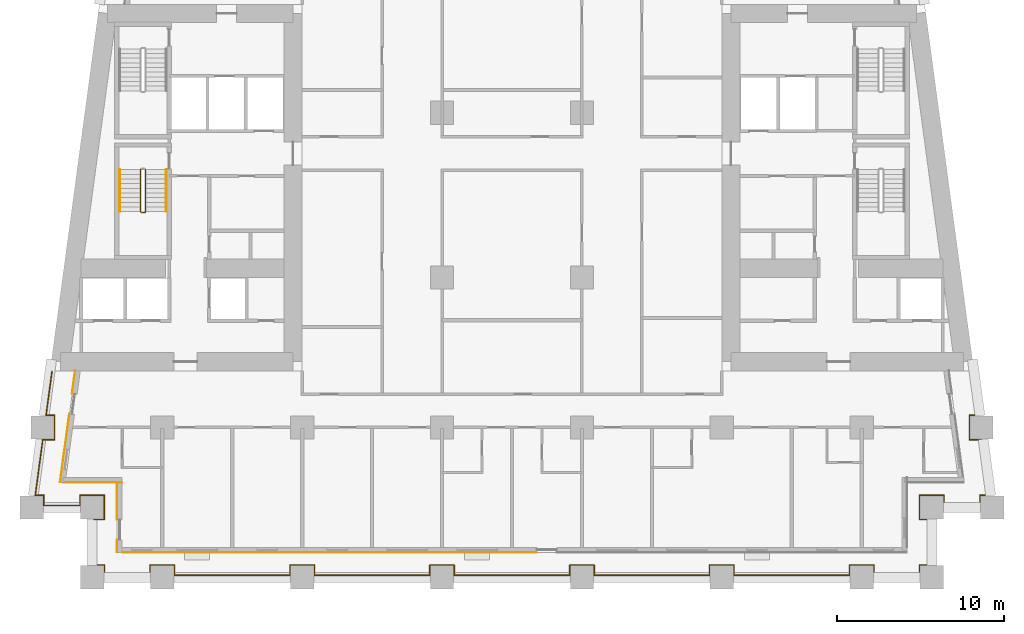
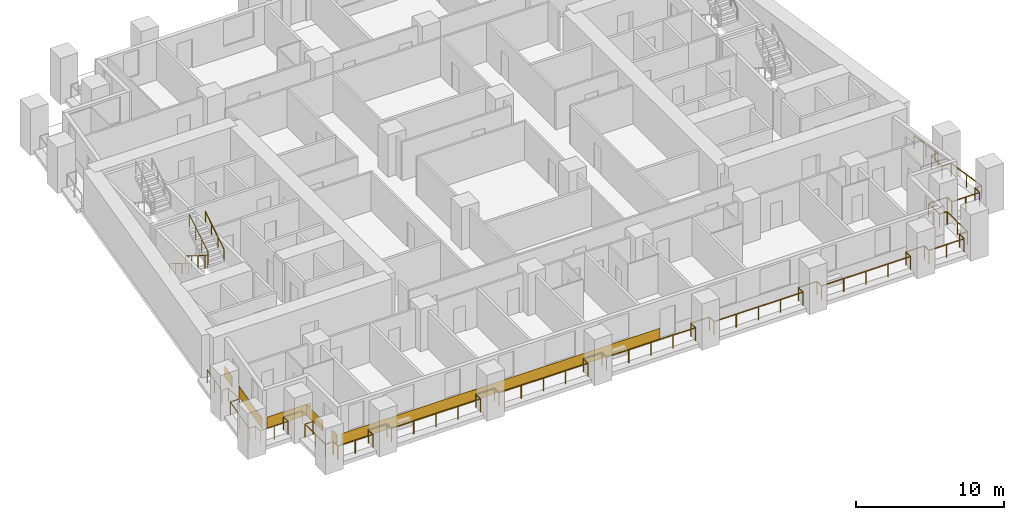
# One storey, part 8 of 12: 6 coverings, 5 railings.
"""IFC4 building model written with IfcOpenShell, lengths in metres."""

from ifc_helpers import new_model, si_unit, direction, frame, origin, origin_2d, place, context, subcontext, project, spatial, rectangle, circle, extrude, material, layer, layer_set, type_object, element, save


model = new_model("IFC4")

# Units and contexts
model_context = context("Model", 3, precision=1e-05, world=origin(), true_north=direction((0.0, 1.0)))
body_context = subcontext(model_context, "Body", "Model", "MODEL_VIEW")
ifc_project = project(units=[si_unit("LENGTHUNIT", "METRE"), si_unit("AREAUNIT", "SQUARE_METRE"), si_unit("VOLUMEUNIT", "CUBIC_METRE"), si_unit("PLANEANGLEUNIT", "RADIAN"), si_unit("MASSUNIT", "GRAM", prefix="KILO")], contexts=[model_context])

# Site, building, storey
site_placement = place(None, origin())
site = spatial("IfcSite", under=ifc_project, at=site_placement, CompositionType="ELEMENT")
building_placement = place(site_placement, origin())
building = spatial("IfcBuilding", under=site, at=building_placement, Name="Candeia Pilgrim Tower and Theatre", CompositionType="ELEMENT")
storey_placement = place(building_placement, frame((0.0, 0.0, 39.0)))
storey = spatial("IfcBuildingStorey", under=building, at=storey_placement, Name="L06", CompositionType="ELEMENT", Elevation=39.0)

# Railings
ifc_material_1 = material(Name="Stainless steel balustrade", Category="steel")
railing_type_1 = type_object("IfcRailingType", Name="G1 loggia guard 1100", PredefinedType="GUARDRAIL", material=ifc_material_1)
railing_1_placement = place(storey_placement, frame((88.320068359375, 101.469970703125, 0.0)))
element("IfcRailing", 1, at=railing_1_placement, inside=storey, type_object=railing_type_1, Name="Guard L06.1", PredefinedType="GUARDRAIL", context=body_context, shape_type="SweptSolid", body=[
    extrude(circle(Radius=0.02392578125, at=origin_2d()), frame((0.0, 0.0, 1.076171875), z_axis=(1.0, 0.0, 0.0), x_axis=(0.0, 1.0, 0.0)), (0.0, 0.0, 1.0), 0.60986328125),
    extrude(circle(Radius=0.02392578125, at=origin_2d()), frame((0.60986328125, 0.0, 1.076171875), z_axis=(0.0, 1.0, 0.0), x_axis=(-1.0, 0.0, 0.0)), (0.0, 0.0, 1.0), 1.4599609375),
    extrude(circle(Radius=0.02392578125, at=origin_2d()), frame((0.60986328125, 1.4599609375, 1.076171875), z_axis=(-1.0, 0.0, 0.0), x_axis=(0.0, -1.0, 0.0)), (0.0, 0.0, 1.0), 1.4599609375),
    extrude(circle(Radius=0.02392578125, at=origin_2d()), frame((-0.85009765625, 1.4599609375, 1.076171875), z_axis=(0.0, -1.0, 0.0), x_axis=(1.0, 0.0, 0.0)), (0.0, 0.0, 1.0), 0.60986328125),
    extrude(circle(Radius=0.02392578125, at=origin_2d()), frame((-0.85009765625, 0.85009765625, 1.076171875), z_axis=(-1.0, 0.0, 0.0), x_axis=(0.0, -1.0, 0.0)), (0.0, 0.0, 1.0), 2.174560546875),
    extrude(circle(Radius=0.02392578125, at=origin_2d()), frame((-3.024658203125, 0.85009765625, 1.076171875), z_axis=(0.0, 1.0, 0.0), x_axis=(-1.0, 0.0, 0.0)), (0.0, 0.0, 1.0), 0.60986328125),
    extrude(circle(Radius=0.02392578125, at=origin_2d()), frame((-3.024658203125, 1.4599609375, 1.076171875), z_axis=(-1.0, 0.0, 0.0), x_axis=(0.0, -1.0, 0.0)), (0.0, 0.0, 1.0), 0.5107421875),
    extrude(circle(Radius=0.02392578125, at=origin_2d()), frame((-3.535400390625, 1.4599609375, 1.076171875), z_axis=(0.133435273035, 0.991057530071, 0.0), x_axis=(-0.991057530071, 0.133435273035, 0.0)), (0.0, 0.0, 1.0), 3.3701171875),
    extrude(circle(Radius=0.02392578125, at=origin_2d()), frame((-3.085693359375, 4.800048828125, 1.076171875), z_axis=(1.0, 0.0, 0.0), x_axis=(0.0, 1.0, 0.0)), (0.0, 0.0, 1.0), 0.707275390625),
    extrude(circle(Radius=0.02392578125, at=origin_2d()), frame((-2.37841796875, 4.800048828125, 1.076171875), z_axis=(0.0, 1.0, 0.0), x_axis=(-1.0, 0.0, 0.0)), (0.0, 0.0, 1.0), 1.4599609375),
    extrude(circle(Radius=0.02392578125, at=origin_2d()), frame((-2.37841796875, 6.260009765625, 1.076171875), z_axis=(-1.0, 0.0, 0.0), x_axis=(0.0, -1.0, 0.0)), (0.0, 0.0, 1.0), 0.5107421875),
    extrude(circle(Radius=0.02392578125, at=origin_2d()), frame((-2.88916015625, 6.260009765625, 1.076171875), z_axis=(0.133439920495, 0.991056904329, 0.0), x_axis=(-0.991056904329, 0.133439920495, 0.0)), (0.0, 0.0, 1.0), 2.643798828125),
    extrude(circle(Radius=0.02099609375, at=origin_2d()), origin(), (0.0, 0.0, 1.0), 1.052001953125),
    extrude(circle(Radius=0.02099609375, at=origin_2d()), frame((0.60986328125, 0.0, 0.0)), (0.0, 0.0, 1.0), 1.052001953125),
    extrude(circle(Radius=0.02099609375, at=origin_2d()), frame((0.60986328125, 1.4599609375, 0.0)), (0.0, 0.0, 1.0), 1.052001953125),
    extrude(circle(Radius=0.02099609375, at=origin_2d()), frame((-0.85009765625, 1.4599609375, 0.0)), (0.0, 0.0, 1.0), 1.052001953125),
    extrude(circle(Radius=0.02099609375, at=origin_2d()), frame((-0.85009765625, 0.85009765625, 0.0)), (0.0, 0.0, 1.0), 1.052001953125),
    extrude(circle(Radius=0.02099609375, at=origin_2d()), frame((-1.9375, 0.85009765625, 0.0)), (0.0, 0.0, 1.0), 1.052001953125),
    extrude(circle(Radius=0.02099609375, at=origin_2d()), frame((-3.024658203125, 0.85009765625, 0.0)), (0.0, 0.0, 1.0), 1.052001953125),
    extrude(circle(Radius=0.02099609375, at=origin_2d()), frame((-3.024658203125, 1.4599609375, 0.0)), (0.0, 0.0, 1.0), 1.052001953125),
    extrude(circle(Radius=0.02099609375, at=origin_2d()), frame((-3.535400390625, 1.4599609375, 0.0)), (0.0, 0.0, 1.0), 1.052001953125),
    extrude(circle(Radius=0.02099609375, at=origin_2d()), frame((-3.310546875, 3.1298828125, 0.0)), (0.0, 0.0, 1.0), 1.052001953125),
    extrude(circle(Radius=0.02099609375, at=origin_2d()), frame((-3.085693359375, 4.800048828125, 0.0)), (0.0, 0.0, 1.0), 1.052001953125),
    extrude(circle(Radius=0.02099609375, at=origin_2d()), frame((-2.37841796875, 4.800048828125, 0.0)), (0.0, 0.0, 1.0), 1.052001953125),
    extrude(circle(Radius=0.02099609375, at=origin_2d()), frame((-2.37841796875, 6.260009765625, 0.0)), (0.0, 0.0, 1.0), 1.052001953125),
    extrude(circle(Radius=0.02099609375, at=origin_2d()), frame((-2.88916015625, 6.260009765625, 0.0)), (0.0, 0.0, 1.0), 1.052001953125),
    extrude(circle(Radius=0.02099609375, at=origin_2d()), frame((-2.712890625, 7.570068359375, 0.0)), (0.0, 0.0, 1.0), 1.052001953125),
    extrude(circle(Radius=0.02099609375, at=origin_2d()), frame((-2.536376953125, 8.880126953125, 0.0)), (0.0, 0.0, 1.0), 1.052001953125),
])
railing_2_placement = place(storey_placement, frame((141.016357421875, 110.35009765625, 0.0)))
element("IfcRailing", 2, at=railing_2_placement, inside=storey, type_object=railing_type_1, Name="Guard L06.4", PredefinedType="GUARDRAIL", context=body_context, shape_type="SweptSolid", body=[
    extrude(circle(Radius=0.02392578125, at=origin_2d()), frame((0.0, 0.0, 1.076171875), z_axis=(0.133439920495, -0.991056904329, 0.0), x_axis=(0.991056904329, 0.133439920495, 0.0)), (0.0, 0.0, 1.0), 2.643798828125),
    extrude(circle(Radius=0.02392578125, at=origin_2d()), frame((0.352783203125, -2.6201171875, 1.076171875), z_axis=(-1.0, 0.0, 0.0), x_axis=(0.0, -1.0, 0.0)), (0.0, 0.0, 1.0), 0.5107421875),
    extrude(circle(Radius=0.02392578125, at=origin_2d()), frame((-0.157958984375, -2.6201171875, 1.076171875), z_axis=(0.0, -1.0, 0.0), x_axis=(1.0, 0.0, 0.0)), (0.0, 0.0, 1.0), 1.4599609375),
    extrude(circle(Radius=0.02392578125, at=origin_2d()), frame((-0.157958984375, -4.080078125, 1.076171875), z_axis=(1.0, 0.0, 0.0), x_axis=(0.0, 1.0, 0.0)), (0.0, 0.0, 1.0), 0.707275390625),
    extrude(circle(Radius=0.02392578125, at=origin_2d()), frame((0.54931640625, -4.080078125, 1.076171875), z_axis=(0.133435273035, -0.991057530071, 0.0), x_axis=(0.991057530071, 0.133435273035, 0.0)), (0.0, 0.0, 1.0), 3.3701171875),
    extrude(circle(Radius=0.02392578125, at=origin_2d()), frame((0.9990234375, -7.420166015625, 1.076171875), z_axis=(-1.0, 0.0, 0.0), x_axis=(0.0, -1.0, 0.0)), (0.0, 0.0, 1.0), 0.5107421875),
    extrude(circle(Radius=0.02392578125, at=origin_2d()), frame((0.48828125, -7.420166015625, 1.076171875), z_axis=(0.0, -1.0, 0.0), x_axis=(1.0, 0.0, 0.0)), (0.0, 0.0, 1.0), 0.60986328125),
    extrude(circle(Radius=0.02392578125, at=origin_2d()), frame((0.48828125, -8.030029296875, 1.076171875), z_axis=(-1.0, 0.0, 0.0), x_axis=(0.0, -1.0, 0.0)), (0.0, 0.0, 1.0), 2.174560546875),
    extrude(circle(Radius=0.02392578125, at=origin_2d()), frame((-1.686279296875, -8.030029296875, 1.076171875), z_axis=(0.0, 1.0, 0.0), x_axis=(-1.0, 0.0, 0.0)), (0.0, 0.0, 1.0), 0.60986328125),
    extrude(circle(Radius=0.02392578125, at=origin_2d()), frame((-1.686279296875, -7.420166015625, 1.076171875), z_axis=(-1.0, 0.0, 0.0), x_axis=(0.0, -1.0, 0.0)), (0.0, 0.0, 1.0), 1.4599609375),
    extrude(circle(Radius=0.02392578125, at=origin_2d()), frame((-3.146240234375, -7.420166015625, 1.076171875), z_axis=(0.0, -1.0, 0.0), x_axis=(1.0, 0.0, 0.0)), (0.0, 0.0, 1.0), 1.4599609375),
    extrude(circle(Radius=0.02392578125, at=origin_2d()), frame((-3.146240234375, -8.880126953125, 1.076171875), z_axis=(1.0, 0.0, 0.0), x_axis=(0.0, 1.0, 0.0)), (0.0, 0.0, 1.0), 0.60986328125),
    extrude(circle(Radius=0.02392578125, at=origin_2d()), frame((-2.536376953125, -8.880126953125, 1.076171875), z_axis=(0.0, -1.0, 0.0), x_axis=(1.0, 0.0, 0.0)), (0.0, 0.0, 1.0), 2.739990234375),
    extrude(circle(Radius=0.02392578125, at=origin_2d()), frame((-2.536376953125, -11.6201171875, 1.076171875), z_axis=(-1.0, 0.0, 0.0), x_axis=(0.0, -1.0, 0.0)), (0.0, 0.0, 1.0), 0.60986328125),
    extrude(circle(Radius=0.02392578125, at=origin_2d()), frame((-3.146240234375, -11.6201171875, 1.076171875), z_axis=(0.0, -1.0, 0.0), x_axis=(1.0, 0.0, 0.0)), (0.0, 0.0, 1.0), 0.60986328125),
    extrude(circle(Radius=0.02392578125, at=origin_2d()), frame((-3.146240234375, -12.22998046875, 1.076171875), z_axis=(-1.0, 0.0, 0.0), x_axis=(0.0, -1.0, 0.0)), (0.0, 0.0, 1.0), 2.740234375),
    extrude(circle(Radius=0.02392578125, at=origin_2d()), frame((-5.886474609375, -12.22998046875, 1.076171875), z_axis=(0.0, 1.0, 0.0), x_axis=(-1.0, 0.0, 0.0)), (0.0, 0.0, 1.0), 0.60986328125),
    extrude(circle(Radius=0.02392578125, at=origin_2d()), frame((-5.886474609375, -11.6201171875, 1.076171875), z_axis=(-1.0, 0.0, 0.0), x_axis=(0.0, -1.0, 0.0)), (0.0, 0.0, 1.0), 1.4599609375),
    extrude(circle(Radius=0.02392578125, at=origin_2d()), frame((-7.346435546875, -11.6201171875, 1.076171875), z_axis=(0.0, -1.0, 0.0), x_axis=(1.0, 0.0, 0.0)), (0.0, 0.0, 1.0), 0.60986328125),
    extrude(circle(Radius=0.02392578125, at=origin_2d()), frame((-7.346435546875, -12.22998046875, 1.076171875), z_axis=(-1.0, 0.0, 0.0), x_axis=(0.0, -1.0, 0.0)), (0.0, 0.0, 1.0), 6.93994140625),
    extrude(circle(Radius=0.02392578125, at=origin_2d()), frame((-14.286376953125, -12.22998046875, 1.076171875), z_axis=(0.0, 1.0, 0.0), x_axis=(-1.0, 0.0, 0.0)), (0.0, 0.0, 1.0), 0.60986328125),
    extrude(circle(Radius=0.02392578125, at=origin_2d()), frame((-14.286376953125, -11.6201171875, 1.076171875), z_axis=(-1.0, 0.0, 0.0), x_axis=(0.0, -1.0, 0.0)), (0.0, 0.0, 1.0), 1.4599609375),
    extrude(circle(Radius=0.02392578125, at=origin_2d()), frame((-15.746337890625, -11.6201171875, 1.076171875), z_axis=(0.0, -1.0, 0.0), x_axis=(1.0, 0.0, 0.0)), (0.0, 0.0, 1.0), 0.60986328125),
    extrude(circle(Radius=0.02392578125, at=origin_2d()), frame((-15.746337890625, -12.22998046875, 1.076171875), z_axis=(-1.0, 0.0, 0.0), x_axis=(0.0, -1.0, 0.0)), (0.0, 0.0, 1.0), 6.93994140625),
    extrude(circle(Radius=0.02392578125, at=origin_2d()), frame((-22.686279296875, -12.22998046875, 1.076171875), z_axis=(0.0, 1.0, 0.0), x_axis=(-1.0, 0.0, 0.0)), (0.0, 0.0, 1.0), 0.60986328125),
    extrude(circle(Radius=0.02392578125, at=origin_2d()), frame((-22.686279296875, -11.6201171875, 1.076171875), z_axis=(-1.0, 0.0, 0.0), x_axis=(0.0, -1.0, 0.0)), (0.0, 0.0, 1.0), 1.4599609375),
    extrude(circle(Radius=0.02392578125, at=origin_2d()), frame((-24.146240234375, -11.6201171875, 1.076171875), z_axis=(0.0, -1.0, 0.0), x_axis=(1.0, 0.0, 0.0)), (0.0, 0.0, 1.0), 0.60986328125),
    extrude(circle(Radius=0.02392578125, at=origin_2d()), frame((-24.146240234375, -12.22998046875, 1.076171875), z_axis=(-1.0, 0.0, 0.0), x_axis=(0.0, -1.0, 0.0)), (0.0, 0.0, 1.0), 6.940185546875),
    extrude(circle(Radius=0.02392578125, at=origin_2d()), frame((-31.08642578125, -12.22998046875, 1.076171875), z_axis=(0.0, 1.0, 0.0), x_axis=(-1.0, 0.0, 0.0)), (0.0, 0.0, 1.0), 0.60986328125),
    extrude(circle(Radius=0.02392578125, at=origin_2d()), frame((-31.08642578125, -11.6201171875, 1.076171875), z_axis=(-1.0, 0.0, 0.0), x_axis=(0.0, -1.0, 0.0)), (0.0, 0.0, 1.0), 1.4599609375),
    extrude(circle(Radius=0.02392578125, at=origin_2d()), frame((-32.54638671875, -11.6201171875, 1.076171875), z_axis=(0.0, -1.0, 0.0), x_axis=(1.0, 0.0, 0.0)), (0.0, 0.0, 1.0), 0.60986328125),
    extrude(circle(Radius=0.02392578125, at=origin_2d()), frame((-32.54638671875, -12.22998046875, 1.076171875), z_axis=(-1.0, 0.0, 0.0), x_axis=(0.0, -1.0, 0.0)), (0.0, 0.0, 1.0), 6.93994140625),
    extrude(circle(Radius=0.02392578125, at=origin_2d()), frame((-39.486328125, -12.22998046875, 1.076171875), z_axis=(0.0, 1.0, 0.0), x_axis=(-1.0, 0.0, 0.0)), (0.0, 0.0, 1.0), 0.60986328125),
    extrude(circle(Radius=0.02392578125, at=origin_2d()), frame((-39.486328125, -11.6201171875, 1.076171875), z_axis=(-1.0, 0.0, 0.0), x_axis=(0.0, -1.0, 0.0)), (0.0, 0.0, 1.0), 1.4599609375),
    extrude(circle(Radius=0.02392578125, at=origin_2d()), frame((-40.9462890625, -11.6201171875, 1.076171875), z_axis=(0.0, -1.0, 0.0), x_axis=(1.0, 0.0, 0.0)), (0.0, 0.0, 1.0), 0.60986328125),
    extrude(circle(Radius=0.02392578125, at=origin_2d()), frame((-40.9462890625, -12.22998046875, 1.076171875), z_axis=(-1.0, 0.0, 0.0), x_axis=(0.0, -1.0, 0.0)), (0.0, 0.0, 1.0), 6.940185546875),
    extrude(circle(Radius=0.02392578125, at=origin_2d()), frame((-47.886474609375, -12.22998046875, 1.076171875), z_axis=(0.0, 1.0, 0.0), x_axis=(-1.0, 0.0, 0.0)), (0.0, 0.0, 1.0), 0.60986328125),
    extrude(circle(Radius=0.02392578125, at=origin_2d()), frame((-47.886474609375, -11.6201171875, 1.076171875), z_axis=(-1.0, 0.0, 0.0), x_axis=(0.0, -1.0, 0.0)), (0.0, 0.0, 1.0), 1.4599609375),
    extrude(circle(Radius=0.02392578125, at=origin_2d()), frame((-49.346435546875, -11.6201171875, 1.076171875), z_axis=(0.0, -1.0, 0.0), x_axis=(1.0, 0.0, 0.0)), (0.0, 0.0, 1.0), 0.60986328125),
    extrude(circle(Radius=0.02392578125, at=origin_2d()), frame((-49.346435546875, -12.22998046875, 1.076171875), z_axis=(-1.0, 0.0, 0.0), x_axis=(0.0, -1.0, 0.0)), (0.0, 0.0, 1.0), 2.739990234375),
    extrude(circle(Radius=0.02392578125, at=origin_2d()), frame((-52.08642578125, -12.22998046875, 1.076171875), z_axis=(0.0, 1.0, 0.0), x_axis=(-1.0, 0.0, 0.0)), (0.0, 0.0, 1.0), 0.60986328125),
    extrude(circle(Radius=0.02392578125, at=origin_2d()), frame((-52.08642578125, -11.6201171875, 1.076171875), z_axis=(-1.0, 0.0, 0.0), x_axis=(0.0, -1.0, 0.0)), (0.0, 0.0, 1.0), 0.60986328125),
    extrude(circle(Radius=0.02392578125, at=origin_2d()), frame((-52.6962890625, -11.6201171875, 1.076171875), z_axis=(0.0, 1.0, 0.0), x_axis=(-1.0, 0.0, 0.0)), (0.0, 0.0, 1.0), 2.739990234375),
    extrude(circle(Radius=0.02099609375, at=origin_2d()), origin(), (0.0, 0.0, 1.0), 1.052001953125),
    extrude(circle(Radius=0.02099609375, at=origin_2d()), frame((0.17626953125, -1.31005859375, 0.0)), (0.0, 0.0, 1.0), 1.052001953125),
    extrude(circle(Radius=0.02099609375, at=origin_2d()), frame((0.352783203125, -2.6201171875, 0.0)), (0.0, 0.0, 1.0), 1.052001953125),
    extrude(circle(Radius=0.02099609375, at=origin_2d()), frame((-0.157958984375, -2.6201171875, 0.0)), (0.0, 0.0, 1.0), 1.052001953125),
    extrude(circle(Radius=0.02099609375, at=origin_2d()), frame((-0.157958984375, -4.080078125, 0.0)), (0.0, 0.0, 1.0), 1.052001953125),
    extrude(circle(Radius=0.02099609375, at=origin_2d()), frame((0.54931640625, -4.080078125, 0.0)), (0.0, 0.0, 1.0), 1.052001953125),
    extrude(circle(Radius=0.02099609375, at=origin_2d()), frame((0.774169921875, -5.75, 0.0)), (0.0, 0.0, 1.0), 1.052001953125),
    extrude(circle(Radius=0.02099609375, at=origin_2d()), frame((0.9990234375, -7.420166015625, 0.0)), (0.0, 0.0, 1.0), 1.052001953125),
    extrude(circle(Radius=0.02099609375, at=origin_2d()), frame((0.48828125, -7.420166015625, 0.0)), (0.0, 0.0, 1.0), 1.052001953125),
    extrude(circle(Radius=0.02099609375, at=origin_2d()), frame((0.48828125, -8.030029296875, 0.0)), (0.0, 0.0, 1.0), 1.052001953125),
    extrude(circle(Radius=0.02099609375, at=origin_2d()), frame((-0.59912109375, -8.030029296875, 0.0)), (0.0, 0.0, 1.0), 1.052001953125),
    extrude(circle(Radius=0.02099609375, at=origin_2d()), frame((-1.686279296875, -8.030029296875, 0.0)), (0.0, 0.0, 1.0), 1.052001953125),
    extrude(circle(Radius=0.02099609375, at=origin_2d()), frame((-1.686279296875, -7.420166015625, 0.0)), (0.0, 0.0, 1.0), 1.052001953125),
    extrude(circle(Radius=0.02099609375, at=origin_2d()), frame((-3.146240234375, -7.420166015625, 0.0)), (0.0, 0.0, 1.0), 1.052001953125),
    extrude(circle(Radius=0.02099609375, at=origin_2d()), frame((-3.146240234375, -8.880126953125, 0.0)), (0.0, 0.0, 1.0), 1.052001953125),
    extrude(circle(Radius=0.02099609375, at=origin_2d()), frame((-2.536376953125, -8.880126953125, 0.0)), (0.0, 0.0, 1.0), 1.052001953125),
    extrude(circle(Radius=0.02099609375, at=origin_2d()), frame((-2.536376953125, -10.25, 0.0)), (0.0, 0.0, 1.0), 1.052001953125),
    extrude(circle(Radius=0.02099609375, at=origin_2d()), frame((-2.536376953125, -11.6201171875, 0.0)), (0.0, 0.0, 1.0), 1.052001953125),
    extrude(circle(Radius=0.02099609375, at=origin_2d()), frame((-3.146240234375, -11.6201171875, 0.0)), (0.0, 0.0, 1.0), 1.052001953125),
    extrude(circle(Radius=0.02099609375, at=origin_2d()), frame((-3.146240234375, -12.22998046875, 0.0)), (0.0, 0.0, 1.0), 1.052001953125),
    extrude(circle(Radius=0.02099609375, at=origin_2d()), frame((-4.516357421875, -12.22998046875, 0.0)), (0.0, 0.0, 1.0), 1.052001953125),
    extrude(circle(Radius=0.02099609375, at=origin_2d()), frame((-5.886474609375, -12.22998046875, 0.0)), (0.0, 0.0, 1.0), 1.052001953125),
    extrude(circle(Radius=0.02099609375, at=origin_2d()), frame((-5.886474609375, -11.6201171875, 0.0)), (0.0, 0.0, 1.0), 1.052001953125),
    extrude(circle(Radius=0.02099609375, at=origin_2d()), frame((-7.346435546875, -11.6201171875, 0.0)), (0.0, 0.0, 1.0), 1.052001953125),
    extrude(circle(Radius=0.02099609375, at=origin_2d()), frame((-7.346435546875, -12.22998046875, 0.0)), (0.0, 0.0, 1.0), 1.052001953125),
    extrude(circle(Radius=0.02099609375, at=origin_2d()), frame((-9.08154296875, -12.22998046875, 0.0)), (0.0, 0.0, 1.0), 1.052001953125),
    extrude(circle(Radius=0.02099609375, at=origin_2d()), frame((-10.81640625, -12.22998046875, 0.0)), (0.0, 0.0, 1.0), 1.052001953125),
    extrude(circle(Radius=0.02099609375, at=origin_2d()), frame((-12.55126953125, -12.22998046875, 0.0)), (0.0, 0.0, 1.0), 1.052001953125),
    extrude(circle(Radius=0.02099609375, at=origin_2d()), frame((-14.286376953125, -12.22998046875, 0.0)), (0.0, 0.0, 1.0), 1.052001953125),
    extrude(circle(Radius=0.02099609375, at=origin_2d()), frame((-14.286376953125, -11.6201171875, 0.0)), (0.0, 0.0, 1.0), 1.052001953125),
    extrude(circle(Radius=0.02099609375, at=origin_2d()), frame((-15.746337890625, -11.6201171875, 0.0)), (0.0, 0.0, 1.0), 1.052001953125),
    extrude(circle(Radius=0.02099609375, at=origin_2d()), frame((-15.746337890625, -12.22998046875, 0.0)), (0.0, 0.0, 1.0), 1.052001953125),
    extrude(circle(Radius=0.02099609375, at=origin_2d()), frame((-17.4814453125, -12.22998046875, 0.0)), (0.0, 0.0, 1.0), 1.052001953125),
    extrude(circle(Radius=0.02099609375, at=origin_2d()), frame((-19.21630859375, -12.22998046875, 0.0)), (0.0, 0.0, 1.0), 1.052001953125),
    extrude(circle(Radius=0.02099609375, at=origin_2d()), frame((-20.951171875, -12.22998046875, 0.0)), (0.0, 0.0, 1.0), 1.052001953125),
    extrude(circle(Radius=0.02099609375, at=origin_2d()), frame((-22.686279296875, -12.22998046875, 0.0)), (0.0, 0.0, 1.0), 1.052001953125),
    extrude(circle(Radius=0.02099609375, at=origin_2d()), frame((-22.686279296875, -11.6201171875, 0.0)), (0.0, 0.0, 1.0), 1.052001953125),
    extrude(circle(Radius=0.02099609375, at=origin_2d()), frame((-24.146240234375, -11.6201171875, 0.0)), (0.0, 0.0, 1.0), 1.052001953125),
    extrude(circle(Radius=0.02099609375, at=origin_2d()), frame((-24.146240234375, -12.22998046875, 0.0)), (0.0, 0.0, 1.0), 1.052001953125),
    extrude(circle(Radius=0.02099609375, at=origin_2d()), frame((-25.88134765625, -12.22998046875, 0.0)), (0.0, 0.0, 1.0), 1.052001953125),
    extrude(circle(Radius=0.02099609375, at=origin_2d()), frame((-27.6162109375, -12.22998046875, 0.0)), (0.0, 0.0, 1.0), 1.052001953125),
    extrude(circle(Radius=0.02099609375, at=origin_2d()), frame((-29.351318359375, -12.22998046875, 0.0)), (0.0, 0.0, 1.0), 1.052001953125),
    extrude(circle(Radius=0.02099609375, at=origin_2d()), frame((-31.08642578125, -12.22998046875, 0.0)), (0.0, 0.0, 1.0), 1.052001953125),
    extrude(circle(Radius=0.02099609375, at=origin_2d()), frame((-31.08642578125, -11.6201171875, 0.0)), (0.0, 0.0, 1.0), 1.052001953125),
    extrude(circle(Radius=0.02099609375, at=origin_2d()), frame((-32.54638671875, -11.6201171875, 0.0)), (0.0, 0.0, 1.0), 1.052001953125),
    extrude(circle(Radius=0.02099609375, at=origin_2d()), frame((-32.54638671875, -12.22998046875, 0.0)), (0.0, 0.0, 1.0), 1.052001953125),
    extrude(circle(Radius=0.02099609375, at=origin_2d()), frame((-34.28125, -12.22998046875, 0.0)), (0.0, 0.0, 1.0), 1.052001953125),
    extrude(circle(Radius=0.02099609375, at=origin_2d()), frame((-36.016357421875, -12.22998046875, 0.0)), (0.0, 0.0, 1.0), 1.052001953125),
    extrude(circle(Radius=0.02099609375, at=origin_2d()), frame((-37.75146484375, -12.22998046875, 0.0)), (0.0, 0.0, 1.0), 1.052001953125),
    extrude(circle(Radius=0.02099609375, at=origin_2d()), frame((-39.486328125, -12.22998046875, 0.0)), (0.0, 0.0, 1.0), 1.052001953125),
    extrude(circle(Radius=0.02099609375, at=origin_2d()), frame((-39.486328125, -11.6201171875, 0.0)), (0.0, 0.0, 1.0), 1.052001953125),
    extrude(circle(Radius=0.02099609375, at=origin_2d()), frame((-40.9462890625, -11.6201171875, 0.0)), (0.0, 0.0, 1.0), 1.052001953125),
    extrude(circle(Radius=0.02099609375, at=origin_2d()), frame((-40.9462890625, -12.22998046875, 0.0)), (0.0, 0.0, 1.0), 1.052001953125),
    extrude(circle(Radius=0.02099609375, at=origin_2d()), frame((-42.681396484375, -12.22998046875, 0.0)), (0.0, 0.0, 1.0), 1.052001953125),
    extrude(circle(Radius=0.02099609375, at=origin_2d()), frame((-44.41650390625, -12.22998046875, 0.0)), (0.0, 0.0, 1.0), 1.052001953125),
    extrude(circle(Radius=0.02099609375, at=origin_2d()), frame((-46.1513671875, -12.22998046875, 0.0)), (0.0, 0.0, 1.0), 1.052001953125),
    extrude(circle(Radius=0.02099609375, at=origin_2d()), frame((-47.886474609375, -12.22998046875, 0.0)), (0.0, 0.0, 1.0), 1.052001953125),
    extrude(circle(Radius=0.02099609375, at=origin_2d()), frame((-47.886474609375, -11.6201171875, 0.0)), (0.0, 0.0, 1.0), 1.052001953125),
    extrude(circle(Radius=0.02099609375, at=origin_2d()), frame((-49.346435546875, -11.6201171875, 0.0)), (0.0, 0.0, 1.0), 1.052001953125),
    extrude(circle(Radius=0.02099609375, at=origin_2d()), frame((-49.346435546875, -12.22998046875, 0.0)), (0.0, 0.0, 1.0), 1.052001953125),
    extrude(circle(Radius=0.02099609375, at=origin_2d()), frame((-50.71630859375, -12.22998046875, 0.0)), (0.0, 0.0, 1.0), 1.052001953125),
    extrude(circle(Radius=0.02099609375, at=origin_2d()), frame((-52.08642578125, -12.22998046875, 0.0)), (0.0, 0.0, 1.0), 1.052001953125),
    extrude(circle(Radius=0.02099609375, at=origin_2d()), frame((-52.08642578125, -11.6201171875, 0.0)), (0.0, 0.0, 1.0), 1.052001953125),
    extrude(circle(Radius=0.02099609375, at=origin_2d()), frame((-52.6962890625, -11.6201171875, 0.0)), (0.0, 0.0, 1.0), 1.052001953125),
    extrude(circle(Radius=0.02099609375, at=origin_2d()), frame((-52.6962890625, -10.25, 0.0)), (0.0, 0.0, 1.0), 1.052001953125),
    extrude(circle(Radius=0.02099609375, at=origin_2d()), frame((-52.6962890625, -8.880126953125, 0.0)), (0.0, 0.0, 1.0), 1.052001953125),
])

# Coverings
ifc_material_2 = material(Name="Glazed ceramic tile deep red")
ifc_layer = layer(ifc_material_2, 0.02001953125)
ifc_layer_set = layer_set([ifc_layer], Name="Glazed ceramic tile deep red")
covering_type = type_object("IfcCoveringType", Name="Glazed ceramic tile deep red", PredefinedType="CLADDING", material=ifc_layer_set)
covering_1_placement = place(storey_placement, frame((102.4599609375, 99.489990234375, 0.0), z_axis=(0.0, 0.0, 1.0), x_axis=(1.0, 0.0, 0.0)))
element("IfcCovering", 3, at=covering_1_placement, inside=storey, type_object=covering_type, Name="Tile cladding deep red L06", PredefinedType="CLADDING", context=body_context, shape_type="SweptSolid", body=[
    extrude(rectangle(XDim=24.8798828125, YDim=0.02001953125, at=origin_2d()), origin(), (0.0, 0.0, 1.0), 0.89990234375),
])
covering_2_placement = place(storey_placement, frame((87.0810546875, 109.71875, 0.0), z_axis=(0.0, 0.0, 1.0), x_axis=(-0.133412012145, -0.991060661622, 0.0)))
element("IfcCovering", 4, at=covering_2_placement, inside=storey, type_object=covering_type, Name="Tile cladding deep red L06", PredefinedType="CLADDING", context=body_context, shape_type="SweptSolid", body=[
    extrude(rectangle(XDim=1.41796875, YDim=0.02001953125, at=origin_2d()), origin(), (0.0, 0.0, 1.0), 0.89990234375),
])
covering_3_placement = place(storey_placement, frame((86.548583984375, 105.763916015625, 0.0), z_axis=(0.0, 0.0, 1.0), x_axis=(-0.133412012145, -0.991060661622, 0.0)))
element("IfcCovering", 5, at=covering_3_placement, inside=storey, type_object=covering_type, Name="Tile cladding deep red L06", PredefinedType="CLADDING", context=body_context, shape_type="SweptSolid", body=[
    extrude(rectangle(XDim=4.16259765625, YDim=0.02001953125, at=origin_2d()), origin(), (0.0, 0.0, 1.0), 0.89990234375),
])
covering_4_placement = place(storey_placement, frame((88.311279296875, 103.68994140625, 0.0), z_axis=(0.0, 0.0, 1.0), x_axis=(1.0, 0.0, 0.0)))
element("IfcCovering", 6, at=covering_4_placement, inside=storey, type_object=covering_type, Name="Tile cladding deep red L06", PredefinedType="CLADDING", context=body_context, shape_type="SweptSolid", body=[
    extrude(rectangle(XDim=3.377685546875, YDim=0.02001953125, at=origin_2d()), origin(), (0.0, 0.0, 1.0), 0.89990234375),
])
covering_5_placement = place(storey_placement, frame((89.68994140625, 102.56494140625, 0.0), z_axis=(0.0, 0.0, 1.0), x_axis=(0.0, -1.0, 0.0)))
element("IfcCovering", 7, at=covering_5_placement, inside=storey, type_object=covering_type, Name="Tile cladding deep red L06", PredefinedType="CLADDING", context=body_context, shape_type="SweptSolid", body=[
    extrude(rectangle(XDim=2.22998046875, YDim=0.02001953125, at=origin_2d()), origin(), (0.0, 0.0, 1.0), 0.89990234375),
])
covering_6_placement = place(storey_placement, frame((89.68994140625, 99.875, 0.0), z_axis=(0.0, 0.0, 1.0), x_axis=(0.0, -1.0, 0.0)))
element("IfcCovering", 8, at=covering_6_placement, inside=storey, type_object=covering_type, Name="Tile cladding deep red L06", PredefinedType="CLADDING", context=body_context, shape_type="SweptSolid", body=[
    extrude(rectangle(XDim=0.75, YDim=0.02001953125, at=origin_2d()), origin(), (0.0, 0.0, 1.0), 0.89990234375),
])

# Railings
railing_type_2 = type_object("IfcRailingType", Name="RL-GUARD-1100", PredefinedType="GUARDRAIL", material=ifc_material_1)
railing_3_placement = place(storey_placement, frame((91.10205078125, 122.47509765625, 0.175048828125)))
element("IfcRailing", 9, at=railing_3_placement, inside=storey, type_object=railing_type_2, Name="L06 ST1 stair guard 1", PredefinedType="GUARDRAIL", context=body_context, shape_type="SweptSolid", body=[
    extrude(circle(Radius=0.02392578125, at=origin_2d()), frame((0.0, 0.0, 1.076171875), z_axis=(0.0, -0.848007534815, 0.529984170421), x_axis=(1.0, 0.0, 0.0)), (0.0, 0.0, 1.0), 2.9716796875),
    extrude(circle(Radius=0.02392578125, at=origin_2d()), frame((0.0, -2.52001953125, 2.65087890625), z_axis=(0.707106781187, -0.707106781187, 0.0), x_axis=(0.707106781187, 0.707106781187, 0.0)), (0.0, 0.0, 1.0), 0.07080078125),
    extrude(circle(Radius=0.02392578125, at=origin_2d()), frame((0.050048828125, -2.570068359375, 2.65087890625), z_axis=(1.0, 0.0, 0.0), x_axis=(0.0, 1.0, 0.0)), (0.0, 0.0, 1.0), 0.199951171875),
    extrude(circle(Radius=0.02392578125, at=origin_2d()), frame((0.25, -2.570068359375, 2.65087890625), z_axis=(0.265065253269, 0.265065253269, 0.927081885822), x_axis=(-0.707106781187, 0.707106781187, 0.0)), (0.0, 0.0, 1.0), 0.188720703125),
    extrude(circle(Radius=0.02392578125, at=origin_2d()), frame((0.300048828125, -2.52001953125, 2.826171875), z_axis=(0.0, 0.848007534815, 0.529984170421), x_axis=(-1.0, 0.0, 0.0)), (0.0, 0.0, 1.0), 2.9716796875),
    extrude(circle(Radius=0.02099609375, at=origin_2d()), origin(), (0.0, 0.0, 1.0), 1.052001953125),
    extrude(circle(Radius=0.02099609375, at=origin_2d()), frame((0.0, -0.840087890625, 0.52490234375)), (0.0, 0.0, 1.0), 1.052001953125),
    extrude(circle(Radius=0.02099609375, at=origin_2d()), frame((0.0, -1.679931640625, 1.050048828125)), (0.0, 0.0, 1.0), 1.052001953125),
    extrude(circle(Radius=0.02099609375, at=origin_2d()), frame((0.0, -2.52001953125, 1.574951171875)), (0.0, 0.0, 1.0), 1.052001953125),
    extrude(circle(Radius=0.02099609375, at=origin_2d()), frame((0.050048828125, -2.570068359375, 1.574951171875)), (0.0, 0.0, 1.0), 1.052001953125),
    extrude(circle(Radius=0.02099609375, at=origin_2d()), frame((0.25, -2.570068359375, 1.574951171875)), (0.0, 0.0, 1.0), 1.052001953125),
    extrude(circle(Radius=0.02099609375, at=origin_2d()), frame((0.300048828125, -2.52001953125, 1.75)), (0.0, 0.0, 1.0), 1.052001953125),
    extrude(circle(Radius=0.02099609375, at=origin_2d()), frame((0.300048828125, -1.679931640625, 2.27490234375)), (0.0, 0.0, 1.0), 1.052001953125),
    extrude(circle(Radius=0.02099609375, at=origin_2d()), frame((0.300048828125, -0.840087890625, 2.800048828125)), (0.0, 0.0, 1.0), 1.052001953125),
    extrude(circle(Radius=0.02099609375, at=origin_2d()), frame((0.300048828125, 0.0, 3.324951171875)), (0.0, 0.0, 1.0), 1.052001953125),
])
ifc_material_3 = material(Name="Stainless steel handrail", Category="steel")
railing_type_3 = type_object("IfcRailingType", Name="RL-HANDRAIL-900", PredefinedType="HANDRAIL", material=ifc_material_3)
railing_4_placement = place(storey_placement, frame((89.85205078125, 122.47509765625, 0.175048828125)))
element("IfcRailing", 10, at=railing_4_placement, inside=storey, type_object=railing_type_3, Name="L06 ST1 stair handrail 1", PredefinedType="HANDRAIL", context=body_context, shape_type="SweptSolid", body=[
    extrude(circle(Radius=0.02392578125, at=origin_2d()), frame((0.0, 0.0, 0.8759765625), z_axis=(0.0, -0.848007534815, 0.529984170421), x_axis=(1.0, 0.0, 0.0)), (0.0, 0.0, 1.0), 2.9716796875),
    extrude(circle(Radius=0.02099609375, at=origin_2d()), origin(), (0.0, 0.0, 1.0), 0.851806640625),
    extrude(circle(Radius=0.02099609375, at=origin_2d()), frame((0.0, -0.840087890625, 0.52490234375)), (0.0, 0.0, 1.0), 0.851806640625),
    extrude(circle(Radius=0.02099609375, at=origin_2d()), frame((0.0, -1.679931640625, 1.050048828125)), (0.0, 0.0, 1.0), 0.851806640625),
    extrude(circle(Radius=0.02099609375, at=origin_2d()), frame((0.0, -2.52001953125, 1.574951171875)), (0.0, 0.0, 1.0), 0.851806640625),
])
railing_5_placement = place(storey_placement, frame((92.652099609375, 119.955078125, 1.925048828125)))
element("IfcRailing", 11, at=railing_5_placement, inside=storey, type_object=railing_type_3, Name="L06 ST1 stair handrail 2", PredefinedType="HANDRAIL", context=body_context, shape_type="SweptSolid", body=[
    extrude(circle(Radius=0.02392578125, at=origin_2d()), frame((0.0, 0.0, 0.8759765625), z_axis=(0.0, 0.848007534815, 0.529984170421), x_axis=(-1.0, 0.0, 0.0)), (0.0, 0.0, 1.0), 2.9716796875),
    extrude(circle(Radius=0.02099609375, at=origin_2d()), origin(), (0.0, 0.0, 1.0), 0.851806640625),
    extrude(circle(Radius=0.02099609375, at=origin_2d()), frame((0.0, 0.840087890625, 0.52490234375)), (0.0, 0.0, 1.0), 0.851806640625),
    extrude(circle(Radius=0.02099609375, at=origin_2d()), frame((0.0, 1.679931640625, 1.050048828125)), (0.0, 0.0, 1.0), 0.851806640625),
    extrude(circle(Radius=0.02099609375, at=origin_2d()), frame((0.0, 2.52001953125, 1.574951171875)), (0.0, 0.0, 1.0), 0.851806640625),
])

save(model, "model.ifc")
